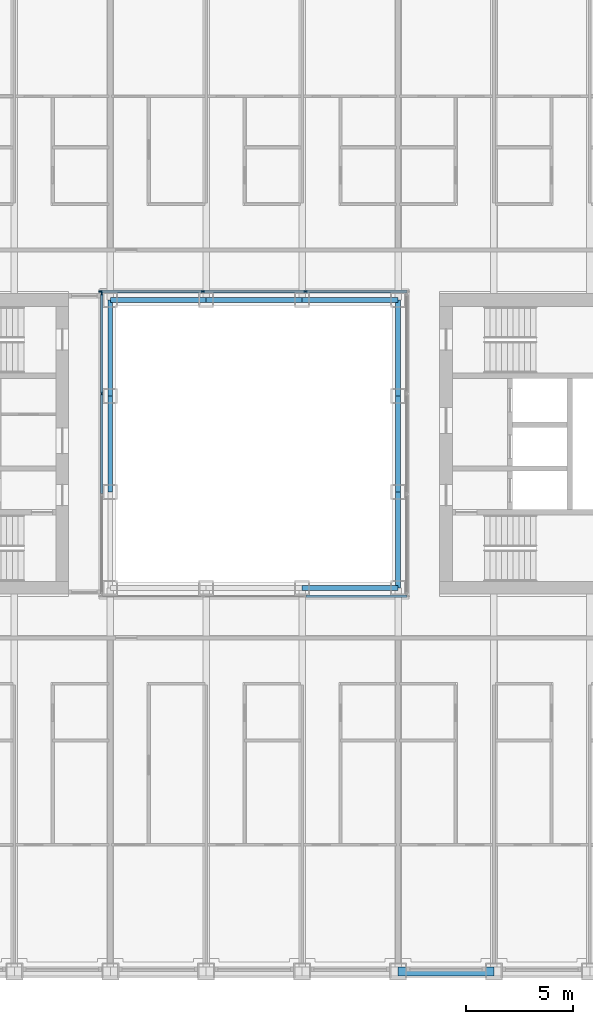
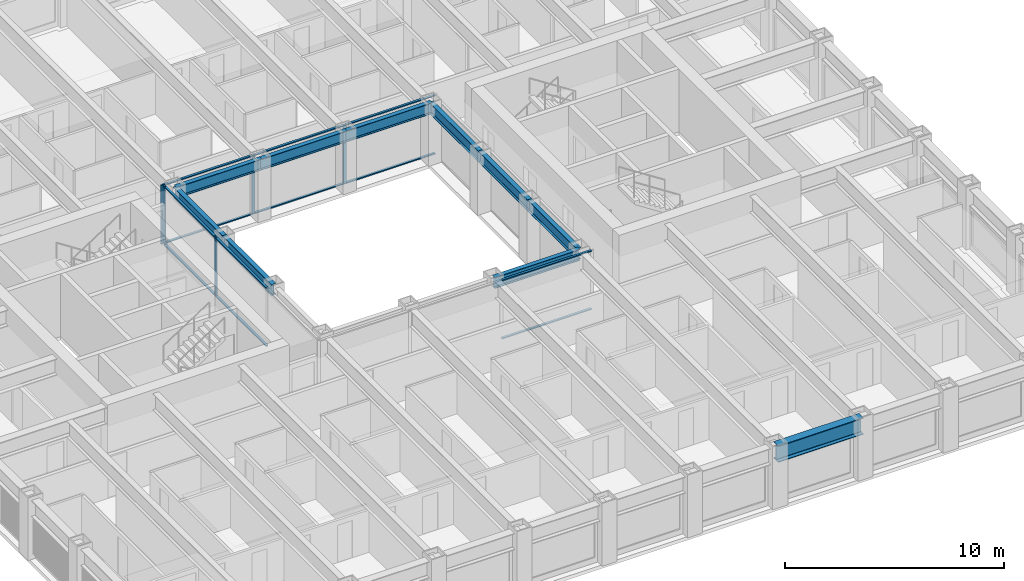
# One storey, part 4 of 21: 17 members, 10 beams, 3 elements without a shape of their own.
"""IFC4 building model written with IfcOpenShell, lengths in metres."""

from ifc_helpers import new_model, si_unit, direction, frame, origin, origin_2d, place, context, subcontext, project, spatial, rectangle, i_section, extrude, material, material_profile, profile_set, type_object, element, aggregate, save


model = new_model("IFC4")

# Units and contexts
model_context = context("Model", 3, precision=1e-05, world=origin(), true_north=direction((0.0, 1.0)))
body_context = subcontext(model_context, "Body", "Model", "MODEL_VIEW")
ifc_project = project(units=[si_unit("LENGTHUNIT", "METRE"), si_unit("AREAUNIT", "SQUARE_METRE"), si_unit("VOLUMEUNIT", "CUBIC_METRE"), si_unit("PLANEANGLEUNIT", "RADIAN"), si_unit("MASSUNIT", "GRAM", prefix="KILO")], contexts=[model_context])

# Site, building, storey
site_placement = place(None, origin())
site = spatial("IfcSite", under=ifc_project, at=site_placement, CompositionType="ELEMENT")
building_placement = place(site_placement, origin())
building = spatial("IfcBuilding", under=site, at=building_placement, Name="Msasa Ring Tower", CompositionType="ELEMENT")
storey_placement = place(building_placement, frame((0.0, 0.0, 96.5)))
storey = spatial("IfcBuildingStorey", under=building, at=storey_placement, Name="L25", CompositionType="ELEMENT", Elevation=96.5)

# Curtain wall, members
ifc_material_1 = material(Name="Aluminium curtain wall with clear glass", Category="aluminium")
curtain_wall_type = type_object("IfcCurtainWallType", Name="CW-W LIGHT WELL CURTAIN WALL", PredefinedType="NOTDEFINED", material=ifc_material_1)
curtain_wall_1_placement = place(storey_placement, origin())
curtain_wall_1 = element("IfcCurtainWall", 1, at=curtain_wall_1_placement, inside=storey, type_object=curtain_wall_type, Name="Light well curtain wall N L25", PredefinedType="NOTDEFINED")
ifc_material_2 = material(Name="Aluminium mullion", Category="aluminium")
ifc_material_profile_1 = material_profile(ifc_material_2, rectangle(XDim=0.06005859375, YDim=0.159912109375, at=origin_2d()), Name="AL 60x160")
ifc_profile_set_1 = profile_set([ifc_material_profile_1], Name="Aluminium mullion")
member_type_1 = type_object("IfcMemberType", Name="CW-W MULLION 60x160", PredefinedType="MULLION", material=ifc_profile_set_1)
member_1_placement = place(storey_placement, frame((-7.199951171875, 7.14990234375, 0.0), z_axis=(0.0, 0.0, 1.0), x_axis=(0.0, 1.0, 0.0)))
member_1 = element("IfcMember", 2, at=member_1_placement, type_object=member_type_1, Name="CW-W mullion 1", PredefinedType="MULLION", context=body_context, shape_type="SweptSolid", body=[
    extrude(rectangle(XDim=0.06005859375, YDim=0.159912109375, at=origin_2d()), origin(), (0.0, 0.0, 1.0), 3.300048828125),
])
member_2_placement = place(storey_placement, frame((-2.409912109375, 7.14990234375, 0.0), z_axis=(0.0, 0.0, 1.0), x_axis=(0.0, 1.0, 0.0)))
member_2 = element("IfcMember", 3, at=member_2_placement, type_object=member_type_1, Name="CW-W mullion 2", PredefinedType="MULLION", context=body_context, shape_type="SweptSolid", body=[
    extrude(rectangle(XDim=0.06005859375, YDim=0.159912109375, at=origin_2d()), origin(), (0.0, 0.0, 1.0), 3.300048828125),
])
member_3_placement = place(storey_placement, frame((2.409912109375, 7.14990234375, 0.0), z_axis=(0.0, 0.0, 1.0), x_axis=(0.0, 1.0, 0.0)))
member_3 = element("IfcMember", 4, at=member_3_placement, type_object=member_type_1, Name="CW-W mullion 3", PredefinedType="MULLION", context=body_context, shape_type="SweptSolid", body=[
    extrude(rectangle(XDim=0.06005859375, YDim=0.159912109375, at=origin_2d()), origin(), (0.0, 0.0, 1.0), 3.300048828125),
])

curtain_wall_2_placement = place(storey_placement, origin())
curtain_wall_2 = element("IfcCurtainWall", 5, at=curtain_wall_2_placement, inside=storey, type_object=curtain_wall_type, Name="Light well curtain wall W L25", PredefinedType="NOTDEFINED")
member_4_placement = place(storey_placement, frame((-7.14990234375, 2.356689453125, 0.0), z_axis=(0.0, 0.0, 1.0), x_axis=(-1.0, 0.0, 0.0)))
member_4 = element("IfcMember", 6, at=member_4_placement, type_object=member_type_1, Name="CW-W mullion 3", PredefinedType="MULLION", context=body_context, shape_type="SweptSolid", body=[
    extrude(rectangle(XDim=0.06005859375, YDim=0.159912109375, at=origin_2d()), origin(), (0.0, 0.0, 1.0), 3.300048828125),
])
member_5_placement = place(storey_placement, frame((-7.14990234375, 7.0400390625, 0.0), z_axis=(0.0, 0.0, 1.0), x_axis=(-1.0, 0.0, 0.0)))
member_5 = element("IfcMember", 7, at=member_5_placement, type_object=member_type_1, Name="CW-W mullion 4", PredefinedType="MULLION", context=body_context, shape_type="SweptSolid", body=[
    extrude(rectangle(XDim=0.06005859375, YDim=0.159912109375, at=origin_2d()), origin(), (0.0, 0.0, 1.0), 3.300048828125),
])

# Member
ifc_material_3 = material(Name="Aluminium transom", Category="aluminium")
ifc_material_profile_2 = material_profile(ifc_material_3, rectangle(XDim=0.1201171875, YDim=0.06005859375, at=origin_2d()), Name="AL 60x120")
ifc_profile_set_2 = profile_set([ifc_material_profile_2], Name="Aluminium transom")
member_type_2 = type_object("IfcMemberType", Name="CW-W TRANSOM 60x120", PredefinedType="USERDEFINED", material=ifc_profile_set_2)
member_6_placement = place(storey_placement, frame((-7.169921875, 7.14990234375, 0.030029296875), z_axis=(1.0, 0.0, 0.0), x_axis=(0.0, 1.0, 0.0)))
member_6 = element("IfcMember", 8, at=member_6_placement, type_object=member_type_2, Name="CW-W transom 1.1", ObjectType="TRANSOM", PredefinedType="USERDEFINED", context=body_context, shape_type="SweptSolid", body=[
    extrude(rectangle(XDim=0.1201171875, YDim=0.06005859375, at=origin_2d()), origin(), (0.0, 0.0, 1.0), 4.72998046875),
])

member_7_placement = place(storey_placement, frame((-7.169921875, 7.14990234375, 3.27001953125), z_axis=(1.0, 0.0, 0.0), x_axis=(0.0, 1.0, 0.0)))
member_7 = element("IfcMember", 9, at=member_7_placement, type_object=member_type_2, Name="CW-W transom 1.2", ObjectType="TRANSOM", PredefinedType="USERDEFINED", context=body_context, shape_type="SweptSolid", body=[
    extrude(rectangle(XDim=0.1201171875, YDim=0.06005859375, at=origin_2d()), origin(), (0.0, 0.0, 1.0), 4.72998046875),
])

member_8_placement = place(storey_placement, frame((-2.3798828125, 7.14990234375, 0.030029296875), z_axis=(1.0, 0.0, 0.0), x_axis=(0.0, 1.0, 0.0)))
member_8 = element("IfcMember", 10, at=member_8_placement, type_object=member_type_2, Name="CW-W transom 2.1", ObjectType="TRANSOM", PredefinedType="USERDEFINED", context=body_context, shape_type="SweptSolid", body=[
    extrude(rectangle(XDim=0.1201171875, YDim=0.06005859375, at=origin_2d()), origin(), (0.0, 0.0, 1.0), 4.759765625),
])

member_9_placement = place(storey_placement, frame((-2.3798828125, 7.14990234375, 3.27001953125), z_axis=(1.0, 0.0, 0.0), x_axis=(0.0, 1.0, 0.0)))
member_9 = element("IfcMember", 11, at=member_9_placement, type_object=member_type_2, Name="CW-W transom 2.2", ObjectType="TRANSOM", PredefinedType="USERDEFINED", context=body_context, shape_type="SweptSolid", body=[
    extrude(rectangle(XDim=0.1201171875, YDim=0.06005859375, at=origin_2d()), origin(), (0.0, 0.0, 1.0), 4.759765625),
])

member_10_placement = place(storey_placement, frame((2.43994140625, 7.14990234375, 0.030029296875), z_axis=(1.0, 0.0, 0.0), x_axis=(0.0, 1.0, 0.0)))
member_10 = element("IfcMember", 12, at=member_10_placement, type_object=member_type_2, Name="CW-W transom 3.1", ObjectType="TRANSOM", PredefinedType="USERDEFINED", context=body_context, shape_type="SweptSolid", body=[
    extrude(rectangle(XDim=0.1201171875, YDim=0.06005859375, at=origin_2d()), origin(), (0.0, 0.0, 1.0), 4.72998046875),
])

member_11_placement = place(storey_placement, frame((2.43994140625, 7.14990234375, 3.27001953125), z_axis=(1.0, 0.0, 0.0), x_axis=(0.0, 1.0, 0.0)))
member_11 = element("IfcMember", 13, at=member_11_placement, type_object=member_type_2, Name="CW-W transom 3.2", ObjectType="TRANSOM", PredefinedType="USERDEFINED", context=body_context, shape_type="SweptSolid", body=[
    extrude(rectangle(XDim=0.1201171875, YDim=0.06005859375, at=origin_2d()), origin(), (0.0, 0.0, 1.0), 4.72998046875),
])

aggregate(curtain_wall_1, [member_1, member_2, member_3, member_6, member_7, member_8, member_9, member_10, member_11])

# Curtain wall, members
curtain_wall_3_placement = place(storey_placement, origin())
curtain_wall_3 = element("IfcCurtainWall", 14, at=curtain_wall_3_placement, inside=storey, type_object=curtain_wall_type, Name="Light well curtain wall S L25", PredefinedType="NOTDEFINED")
member_12_placement = place(storey_placement, frame((2.43994140625, -7.14990234375, 0.030029296875), z_axis=(1.0, 0.0, 0.0), x_axis=(0.0, 1.0, 0.0)))
member_12 = element("IfcMember", 15, at=member_12_placement, type_object=member_type_2, Name="CW-W transom 3.1", ObjectType="TRANSOM", PredefinedType="USERDEFINED", context=body_context, shape_type="SweptSolid", body=[
    extrude(rectangle(XDim=0.1201171875, YDim=0.06005859375, at=origin_2d()), origin(), (0.0, 0.0, 1.0), 4.72998046875),
])
member_13_placement = place(storey_placement, frame((2.43994140625, -7.14990234375, 3.27001953125), z_axis=(1.0, 0.0, 0.0), x_axis=(0.0, 1.0, 0.0)))
member_13 = element("IfcMember", 16, at=member_13_placement, type_object=member_type_2, Name="CW-W transom 3.2", ObjectType="TRANSOM", PredefinedType="USERDEFINED", context=body_context, shape_type="SweptSolid", body=[
    extrude(rectangle(XDim=0.1201171875, YDim=0.06005859375, at=origin_2d()), origin(), (0.0, 0.0, 1.0), 4.72998046875),
])
aggregate(curtain_wall_3, [member_12, member_13])

# Member
member_14_placement = place(storey_placement, frame((-7.14990234375, -2.32666015625, 0.030029296875), z_axis=(0.0, 1.0, 0.0), x_axis=(-1.0, 0.0, 0.0)))
member_14 = element("IfcMember", 17, at=member_14_placement, type_object=member_type_2, Name="CW-W transom 2.1", ObjectType="TRANSOM", PredefinedType="USERDEFINED", context=body_context, shape_type="SweptSolid", body=[
    extrude(rectangle(XDim=0.1201171875, YDim=0.06005859375, at=origin_2d()), origin(), (0.0, 0.0, 1.0), 4.6533203125),
])

member_15_placement = place(storey_placement, frame((-7.14990234375, -2.32666015625, 3.27001953125), z_axis=(0.0, 1.0, 0.0), x_axis=(-1.0, 0.0, 0.0)))
member_15 = element("IfcMember", 18, at=member_15_placement, type_object=member_type_2, Name="CW-W transom 2.2", ObjectType="TRANSOM", PredefinedType="USERDEFINED", context=body_context, shape_type="SweptSolid", body=[
    extrude(rectangle(XDim=0.1201171875, YDim=0.06005859375, at=origin_2d()), origin(), (0.0, 0.0, 1.0), 4.6533203125),
])

member_16_placement = place(storey_placement, frame((-7.14990234375, 2.38671875, 0.030029296875), z_axis=(0.0, 1.0, 0.0), x_axis=(-1.0, 0.0, 0.0)))
member_16 = element("IfcMember", 19, at=member_16_placement, type_object=member_type_2, Name="CW-W transom 3.1", ObjectType="TRANSOM", PredefinedType="USERDEFINED", context=body_context, shape_type="SweptSolid", body=[
    extrude(rectangle(XDim=0.1201171875, YDim=0.06005859375, at=origin_2d()), origin(), (0.0, 0.0, 1.0), 4.623291015625),
])

member_17_placement = place(storey_placement, frame((-7.14990234375, 2.38671875, 3.27001953125), z_axis=(0.0, 1.0, 0.0), x_axis=(-1.0, 0.0, 0.0)))
member_17 = element("IfcMember", 20, at=member_17_placement, type_object=member_type_2, Name="CW-W transom 3.2", ObjectType="TRANSOM", PredefinedType="USERDEFINED", context=body_context, shape_type="SweptSolid", body=[
    extrude(rectangle(XDim=0.1201171875, YDim=0.06005859375, at=origin_2d()), origin(), (0.0, 0.0, 1.0), 4.623291015625),
])

aggregate(curtain_wall_2, [member_4, member_5, member_14, member_15, member_16, member_17])

# Beams
ifc_material_4 = material(Name="Steel S355", Category="steel")
ifc_material_profile_3 = material_profile(ifc_material_4, i_section(OverallWidth=0.230224609375, OverallDepth=0.6171875, WebThickness=0.01318359375, FlangeThickness=0.022216796875, FilletRadius=0.0126953125, at=origin_2d()), Name="UB 610x229x140")
ifc_profile_set_3 = profile_set([ifc_material_profile_3], Name="Steel S355")
beam_type_1 = type_object("IfcBeamType", Name="RB1 UB 610x229x140", PredefinedType="BEAM", material=ifc_profile_set_3)
for number, where, z_axis, x_axis, name in (
    (21, (2.25, -6.75, 2.991455078125), (1.0, 0.0, 0.0), (0.0, 1.0, 0.0), "Inner ring beam IR+2.25-6.75 under L26"),
    (22, (6.75, -6.75, 2.991455078125), (0.0, 1.0, 0.0), (-1.0, 0.0, 0.0), "Inner ring beam IR+6.75-6.75 under L26"),
    (23, (6.75, -2.25, 2.991455078125), (0.0, 1.0, 0.0), (-1.0, 0.0, 0.0), "Inner ring beam IR+6.75-2.25 under L26"),
    (24, (6.75, 2.25, 2.991455078125), (0.0, 1.0, 0.0), (-1.0, 0.0, 0.0), "Inner ring beam IR+6.75+2.25 under L26"),
    (25, (6.75, 6.75, 2.991455078125), (-1.0, 0.0, 0.0), (0.0, -1.0, 0.0), "Inner ring beam IR+6.75+6.75 under L26"),
    (26, (2.25, 6.75, 2.991455078125), (-1.0, 0.0, 0.0), (0.0, -1.0, 0.0), "Inner ring beam IR+2.25+6.75 under L26"),
    (27, (-2.25, 6.75, 2.991455078125), (-1.0, 0.0, 0.0), (0.0, -1.0, 0.0), "Inner ring beam IR-2.25+6.75 under L26"),
    (28, (-6.75, 6.75, 2.991455078125), (0.0, -1.0, 0.0), (1.0, 0.0, 0.0), "Inner ring beam IR-6.75+6.75 under L26"),
    (29, (-6.75, 2.25, 2.991455078125), (0.0, -1.0, 0.0), (1.0, 0.0, 0.0), "Inner ring beam IR-6.75+2.25 under L26"),
):
    element("IfcBeam", number, at=place(storey_placement, frame(where, z_axis=z_axis, x_axis=x_axis)), inside=storey, type_object=beam_type_1, Name=name, PredefinedType="BEAM", context=body_context, shape_type="SweptSolid", body=[
        extrude(i_section(OverallWidth=0.230224609375, OverallDepth=0.6171875, WebThickness=0.01318359375, FlangeThickness=0.022216796875, FilletRadius=0.0126953125, at=origin_2d()), origin(), (0.0, 0.0, 1.0), 4.5),
    ])
ifc_material_5 = material(Name="Steel S355", Category="steel")
ifc_material_profile_4 = material_profile(ifc_material_5, i_section(OverallWidth=0.42041015625, OverallDepth=0.9208984375, WebThickness=0.021484375, FlangeThickness=0.03662109375, FilletRadius=0.024169921875, at=origin_2d()), Name="UB 914x419x388")
ifc_profile_set_4 = profile_set([ifc_material_profile_4], Name="Steel S355")
beam_type_2 = type_object("IfcBeamType", Name="SB1 UB 914x419x388", PredefinedType="SPANDREL", material=ifc_profile_set_4)
beam_placement = place(storey_placement, frame((6.75, -24.75, 2.839599609375), z_axis=(1.0, 0.0, 0.0), x_axis=(0.0, 1.0, 0.0)))
element("IfcBeam", 30, at=beam_placement, inside=storey, type_object=beam_type_2, Name="Spandrel S+6.75 to S+11.25 under L26", PredefinedType="SPANDREL", context=body_context, shape_type="SweptSolid", body=[
    extrude(i_section(OverallWidth=0.42041015625, OverallDepth=0.9208984375, WebThickness=0.021484375, FlangeThickness=0.03662109375, FilletRadius=0.024169921875, at=origin_2d()), origin(), (0.0, 0.0, 1.0), 4.5),
])

save(model, "model.ifc")
